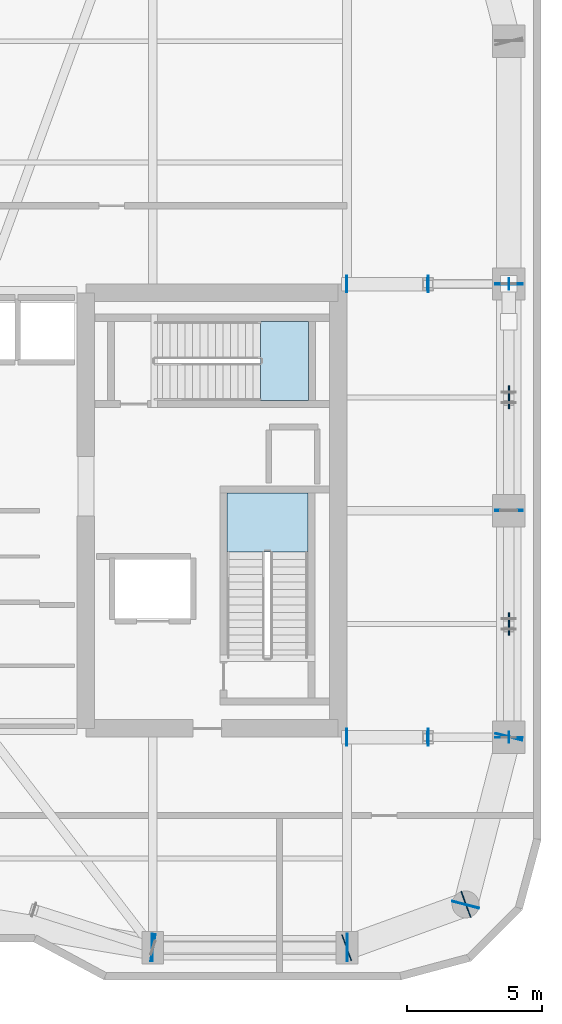
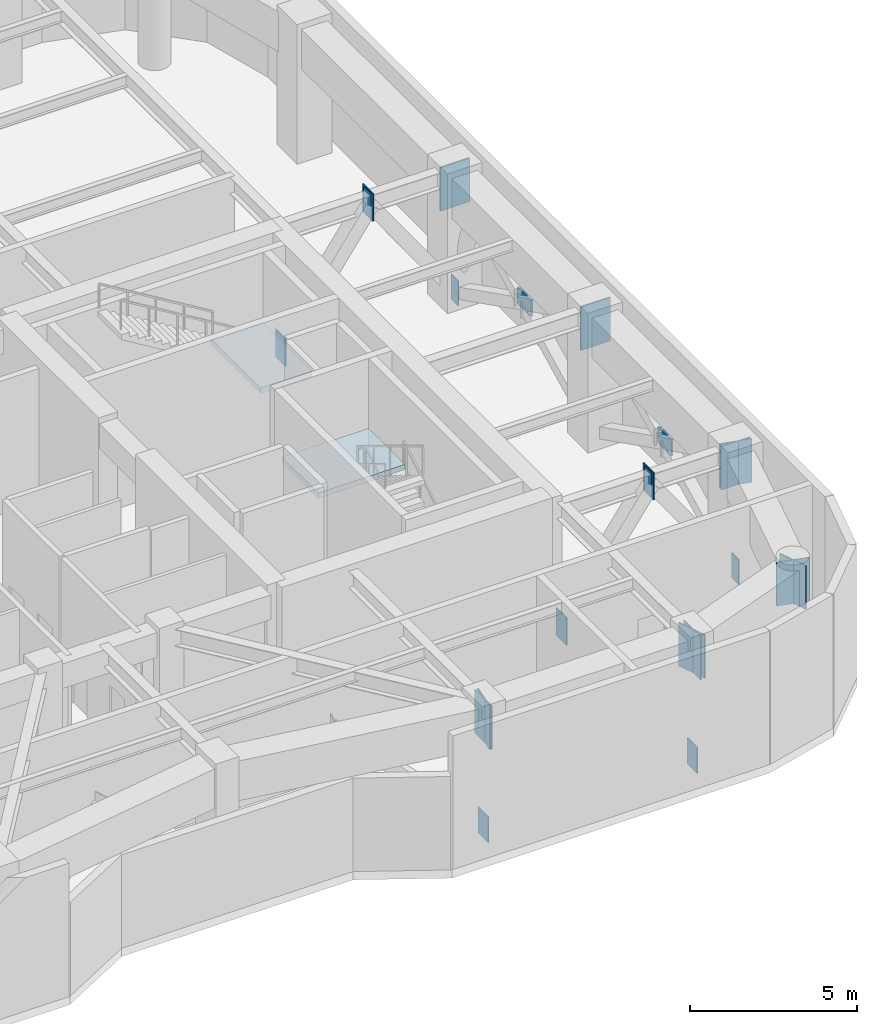
# One storey, part 7 of 16: 24 plates, 2 slabs, 2 elements without a shape of their own.
"""IFC4 building model written with IfcOpenShell, lengths in metres."""

from ifc_helpers import new_model, si_unit, direction, frame, origin, origin_2d, place, context, subcontext, project, spatial, polyline, rectangle, outline, extrude, material, layer, layer_set, type_object, element, aggregate, save


model = new_model("IFC4")

# Units and contexts
model_context = context("Model", 3, precision=1e-05, world=origin(), true_north=direction((0.0, 1.0)))
body_context = subcontext(model_context, "Body", "Model", "MODEL_VIEW")
ifc_project = project(units=[si_unit("LENGTHUNIT", "METRE"), si_unit("AREAUNIT", "SQUARE_METRE"), si_unit("VOLUMEUNIT", "CUBIC_METRE"), si_unit("PLANEANGLEUNIT", "RADIAN"), si_unit("MASSUNIT", "GRAM", prefix="KILO")], contexts=[model_context])

# Site, building, storey
site_placement = place(None, origin())
site = spatial("IfcSite", under=ifc_project, at=site_placement, CompositionType="ELEMENT")
building_placement = place(site_placement, origin())
building = spatial("IfcBuilding", under=site, at=building_placement, Name="Kiyonajd Concourse Tower", CompositionType="ELEMENT")
storey_placement = place(building_placement, frame((0.0, 0.0, 209.699951171875)))
storey = spatial("IfcBuildingStorey", under=building, at=storey_placement, Name="L53", CompositionType="ELEMENT", Elevation=209.699951171875)

# Plates
ifc_material_1 = material(Name="Steel ASTM A572 Grade 50", Category="steel")
ifc_layer_1 = layer(ifc_material_1, 0.031982421875)
ifc_layer_set_1 = layer_set([ifc_layer_1], Name="Steel ASTM A572 Grade 50")
plate_type_1 = type_object("IfcPlateType", Name="PL-CAP-540", PredefinedType="USERDEFINED", material=ifc_layer_set_1)
for number, where, z_axis, x_axis, name in (
    (1, (63.593505859375, 27.60009765625, -0.2109375), (0.0, 0.0, 1.0), (-1.0, 0.0, 0.0), "L53 Outrigger End Cap Plate 05"),
    (2, (66.6064453125, 27.60009765625, 4.037109375), (0.0, 0.0, 1.0), (1.0, 0.0, 0.0), "L53 Outrigger Far End Cap Plate 05"),
):
    element("IfcPlate", number, at=place(storey_placement, frame(where, z_axis=z_axis, x_axis=x_axis)), inside=storey, type_object=plate_type_1, Name=name, ObjectType="CAP PLATE", PredefinedType="USERDEFINED", context=body_context, shape_type="SweptSolid", body=[
        extrude(rectangle(XDim=0.035888671875, YDim=0.6201171875, at=origin_2d()), origin(), (0.0, 0.0, 1.0), 1.00390625),
    ])
for number, where, z_axis, x_axis, name in (
    (3, (66.593505859375, 27.60009765625, 4.080078125), (0.0, 0.0, 1.0), (-1.0, 0.0, 0.0), "L53 Outrigger End Cap Plate 06"),
    (4, (69.6064453125, 27.60009765625, -0.16796875), (0.0, 0.0, 1.0), (1.0, 0.0, 0.0), "L53 Outrigger Far End Cap Plate 06"),
):
    element("IfcPlate", number, at=place(storey_placement, frame(where, z_axis=z_axis, x_axis=x_axis)), inside=storey, type_object=plate_type_1, Name=name, ObjectType="CAP PLATE", PredefinedType="USERDEFINED", context=body_context, shape_type="SweptSolid", body=[
        extrude(rectangle(XDim=0.035888671875, YDim=0.419921875, at=origin_2d()), origin(), (0.0, 0.0, 1.0), 0.91796875),
    ])
for number, where, z_axis, x_axis, name in (
    (5, (63.593505859375, 44.39990234375, -0.2109375), (0.0, 0.0, 1.0), (-1.0, 0.0, 0.0), "L53 Outrigger End Cap Plate 07"),
    (6, (66.6064453125, 44.39990234375, 4.037109375), (0.0, 0.0, 1.0), (1.0, 0.0, 0.0), "L53 Outrigger Far End Cap Plate 07"),
):
    element("IfcPlate", number, at=place(storey_placement, frame(where, z_axis=z_axis, x_axis=x_axis)), inside=storey, type_object=plate_type_1, Name=name, ObjectType="CAP PLATE", PredefinedType="USERDEFINED", context=body_context, shape_type="SweptSolid", body=[
        extrude(rectangle(XDim=0.035888671875, YDim=0.6201171875, at=origin_2d()), origin(), (0.0, 0.0, 1.0), 1.00390625),
    ])
for number, where, z_axis, x_axis, name in (
    (7, (66.593505859375, 44.39990234375, 4.080078125), (0.0, 0.0, 1.0), (-1.0, 0.0, 0.0), "L53 Outrigger End Cap Plate 08"),
    (8, (69.6064453125, 44.39990234375, -0.16796875), (0.0, 0.0, 1.0), (1.0, 0.0, 0.0), "L53 Outrigger Far End Cap Plate 08"),
):
    element("IfcPlate", number, at=place(storey_placement, frame(where, z_axis=z_axis, x_axis=x_axis)), inside=storey, type_object=plate_type_1, Name=name, ObjectType="CAP PLATE", PredefinedType="USERDEFINED", context=body_context, shape_type="SweptSolid", body=[
        extrude(rectangle(XDim=0.035888671875, YDim=0.419921875, at=origin_2d()), origin(), (0.0, 0.0, 1.0), 0.91796875),
    ])
for number, where, z_axis, x_axis, name in (
    (9, (56.388916015625, 19.800048828125, -0.169921875), (0.0, 0.0, 1.0), (-1.0, 0.0, 0.0), "L53 Belt Chord Cap Plate"),
    (10, (63.611083984375, 19.800048828125, -0.169921875), (0.0, 0.0, 1.0), (1.0, 0.0, 0.0), "L53 Belt Chord Cap Plate"),
):
    element("IfcPlate", number, at=place(storey_placement, frame(where, z_axis=z_axis, x_axis=x_axis)), inside=storey, type_object=plate_type_1, Name=name, ObjectType="CAP PLATE", PredefinedType="USERDEFINED", context=body_context, shape_type="SweptSolid", body=[
        extrude(rectangle(XDim=0.035888671875, YDim=0.6201171875, at=origin_2d()), origin(), (0.0, 0.0, 1.0), 0.93994140625),
    ])
for number, where, z_axis, x_axis, name in (
    (11, (56.410888671875, 19.798095703125, 3.35986328125), (0.0, 0.0, 1.0), (0.986400586142, -0.164359008451, 0.0), "L53 Welded Box Girder End Cap"),
    (12, (56.388916015625, 19.800048828125, 3.35986328125), (0.0, 0.0, 1.0), (-1.0, 0.0, 0.0), "L53 Welded Box Girder End Cap"),
    (13, (63.611083984375, 19.800048828125, 3.35986328125), (0.0, 0.0, 1.0), (1.0, 0.0, 0.0), "L53 Welded Box Girder End Cap"),
    (14, (63.589599609375, 19.796142578125, 3.35986328125), (0.0, 0.0, 1.0), (-0.939811951086, -0.341692107891, 0.0), "L53 Welded Box Girder End Cap"),
    (15, (68.01025390625, 21.40380859375, 3.35986328125), (0.0, 0.0, 1.0), (0.939811951086, 0.341692107891, 0.0), "L53 Welded Box Girder End Cap"),
    (16, (67.997314453125, 21.389404296875, 3.35986328125), (0.0, 0.0, 1.0), (-0.249873048837, -0.968278606324, 0.0), "L53 Welded Box Girder End Cap"),
    (17, (69.602783203125, 27.610595703125, 3.35986328125), (0.0, 0.0, 1.0), (0.249873048837, 0.968278606324, 0.0), "L53 Welded Box Girder End Cap"),
    (18, (69.60009765625, 27.589111328125, 3.35986328125), (0.0, 0.0, 1.0), (0.0, -1.0, 0.0), "L53 Welded Box Girder End Cap"),
    (19, (69.60009765625, 36.010986328125, 3.35986328125), (0.0, 0.0, 1.0), (0.0, 1.0, 0.0), "L53 Welded Box Girder End Cap"),
    (20, (69.60009765625, 35.989013671875, 3.35986328125), (0.0, 0.0, 1.0), (0.0, -1.0, 0.0), "L53 Welded Box Girder End Cap"),
    (21, (69.60009765625, 44.410888671875, 3.35986328125), (0.0, 0.0, 1.0), (0.0, 1.0, 0.0), "L53 Welded Box Girder End Cap"),
    (22, (69.60009765625, 44.388916015625, 3.35986328125), (0.0, 0.0, 1.0), (0.0, -1.0, 0.0), "L53 Welded Box Girder End Cap"),
):
    element("IfcPlate", number, at=place(storey_placement, frame(where, z_axis=z_axis, x_axis=x_axis)), inside=storey, type_object=plate_type_1, Name=name, ObjectType="CAP PLATE", PredefinedType="USERDEFINED", context=body_context, shape_type="SweptSolid", body=[
        extrude(rectangle(XDim=0.035888671875, YDim=1.02001953125, at=origin_2d()), origin(), (0.0, 0.0, 1.0), 1.590087890625),
    ])
ifc_layer_2 = layer(ifc_material_1, 0.06005859375)
ifc_layer_set_2 = layer_set([ifc_layer_2], Name="Steel ASTM A572 Grade 50")
plate_type_2 = type_object("IfcPlateType", Name="PL-XNODE-60", PredefinedType="USERDEFINED", material=ifc_layer_set_2)
for number, where, z_axis, x_axis, name in (
    (23, (69.60009765625, 31.800048828125, 2.114990234375), (0.0, 0.0, 1.0), (1.0, 0.0, 0.0), "L53 Belt Truss X Brace Crossing Gusset Plate XN1 E1"),
    (24, (69.60009765625, 40.199951171875, 2.114990234375), (0.0, 0.0, 1.0), (1.0, 0.0, 0.0), "L53 Belt Truss X Brace Crossing Gusset Plate XN1 E2"),
):
    element("IfcPlate", number, at=place(storey_placement, frame(where, z_axis=z_axis, x_axis=x_axis)), inside=storey, type_object=plate_type_2, Name=name, ObjectType="GUSSET PLATE", PredefinedType="USERDEFINED", context=body_context, shape_type="SweptSolid", body=[
        extrude(rectangle(XDim=0.06005859375, YDim=0.840087890625, at=origin_2d()), origin(), (0.0, 0.0, 1.0), 0.60009765625),
    ])

# Stair, slab
ifc_material_2 = material(Name="Concrete C40/50", Category="concrete")
stair_type = type_object("IfcStairType", Name="ST-DLG-30R", PredefinedType="HALF_TURN_STAIR", material=ifc_material_2)
stair_1_placement = place(storey_placement, origin())
stair_1 = element("IfcStair", 25, at=stair_1_placement, inside=storey, type_object=stair_type, Name="L53 Protected Exit Stair ST2", PredefinedType="HALF_TURN_STAIR")
ifc_layer_3 = layer(ifc_material_2, 0.199951171875)
ifc_layer_set_3 = layer_set([ifc_layer_3], Name="Concrete C40/50")
slab_type = type_object("IfcSlabType", Name="SL-LND-200", PredefinedType="LANDING", material=ifc_layer_set_3)
slab_1_placement = place(storey_placement, frame((0.0, 0.0, 2.35009765625)))
slab_1 = element("IfcSlab", 26, at=slab_1_placement, type_object=slab_type, Name="ST2 landing 1", PredefinedType="LANDING", context=body_context, shape_type="SweptSolid", body=[
    extrude(outline(polyline([(62.14990234375, 34.469970703125), (62.14990234375, 36.64990234375), (59.14990234375, 36.64990234375), (59.14990234375, 34.469970703125), (62.14990234375, 34.469970703125)])), origin(), (0.0, 0.0, 1.0), 0.199951171875),
])
aggregate(stair_1, [slab_1])

stair_2_placement = place(storey_placement, origin())
stair_2 = element("IfcStair", 27, at=stair_2_placement, inside=storey, type_object=stair_type, Name="L53 Protected Exit Stair ST3", PredefinedType="HALF_TURN_STAIR")
slab_2_placement = place(storey_placement, frame((0.0, 0.0, 2.35009765625)))
slab_2 = element("IfcSlab", 28, at=slab_2_placement, type_object=slab_type, Name="ST3 landing 1", PredefinedType="LANDING", context=body_context, shape_type="SweptSolid", body=[
    extrude(outline(polyline([(60.39990234375, 40.080078125), (62.179931640625, 40.080078125), (62.179931640625, 43.02001953125), (60.39990234375, 43.02001953125), (60.39990234375, 40.080078125)])), origin(), (0.0, 0.0, 1.0), 0.199951171875),
])
aggregate(stair_2, [slab_2])

save(model, "model.ifc")
